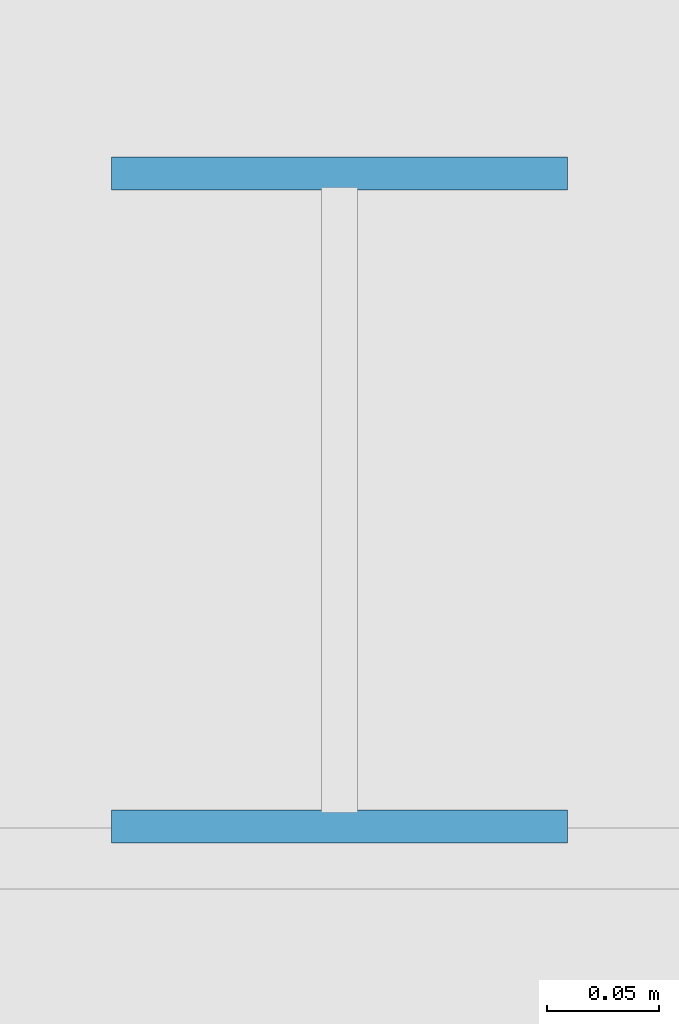
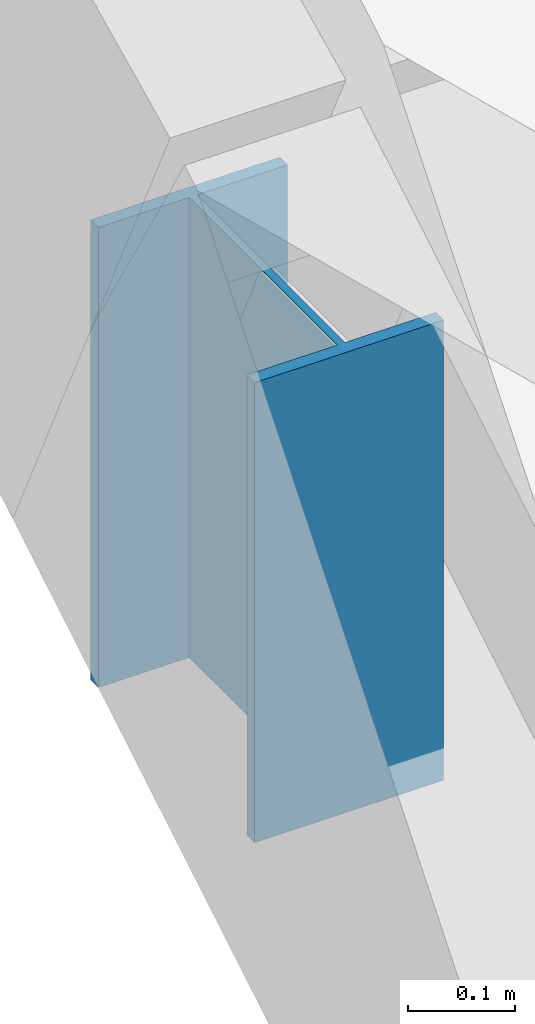
# One storey, part 62 of 92: 1 member.
"""IFC4 building model written with IfcOpenShell, lengths in metres."""

from ifc_helpers import new_model, si_unit, direction, frame, origin, origin_2d, place, context, subcontext, project, spatial, i_section, extrude, material, material_profile, profile_set, type_object, element, save


model = new_model("IFC4")

# Units and contexts
model_context = context("Model", 3, precision=1e-05, world=origin(), true_north=direction((0.0, 1.0)))
body_context = subcontext(model_context, "Body", "Model", "MODEL_VIEW")
ifc_project = project(units=[si_unit("LENGTHUNIT", "METRE"), si_unit("AREAUNIT", "SQUARE_METRE"), si_unit("VOLUMEUNIT", "CUBIC_METRE"), si_unit("PLANEANGLEUNIT", "RADIAN"), si_unit("MASSUNIT", "GRAM", prefix="KILO")], contexts=[model_context])

# Site, building, storey
site_placement = place(None, origin())
site = spatial("IfcSite", under=ifc_project, at=site_placement, CompositionType="ELEMENT")
building_placement = place(site_placement, origin())
building = spatial("IfcBuilding", under=site, at=building_placement, Name="Ciguamira Faculty of Natural Sciences", CompositionType="ELEMENT")
storey_placement = place(building_placement, frame((0.0, 0.0, 16.800048828125)))
storey = spatial("IfcBuildingStorey", under=building, at=storey_placement, Name="L04", CompositionType="ELEMENT", Elevation=16.800048828125)

# Member
ifc_material = material(Name="Steel ASTM A992 Grade 50", Category="steel")
ifc_material_profile = material_profile(ifc_material, i_section(OverallWidth=0.20458984375, OverallDepth=0.307373046875, WebThickness=0.008544921875, FlangeThickness=0.0146484375, at=origin_2d()), Name="W12X45")
ifc_profile_set = profile_set([ifc_material_profile], Name="Steel ASTM A992 Grade 50")
member_type = type_object("IfcMemberType", Name="SteelMember_TS-01_W12X45", PredefinedType="STRUT", material=ifc_profile_set)
member_placement = place(storey_placement, frame((63.89990234375, 88.75, 0.0), z_axis=(0.0, 0.0, 1.0), x_axis=(1.0, 0.0, 0.0)))
element("IfcMember", 1, at=member_placement, inside=storey, type_object=member_type, Name="V4 wave roof 7 edge rib support post 2-1", PredefinedType="STRUT", context=body_context, shape_type="SweptSolid", body=[
    extrude(i_section(OverallWidth=0.20458984375, OverallDepth=0.307373046875, WebThickness=0.008544921875, FlangeThickness=0.0146484375, at=origin_2d()), origin(), (0.0, 0.0, 1.0), 0.5263671875),
])

save(model, "model.ifc")
